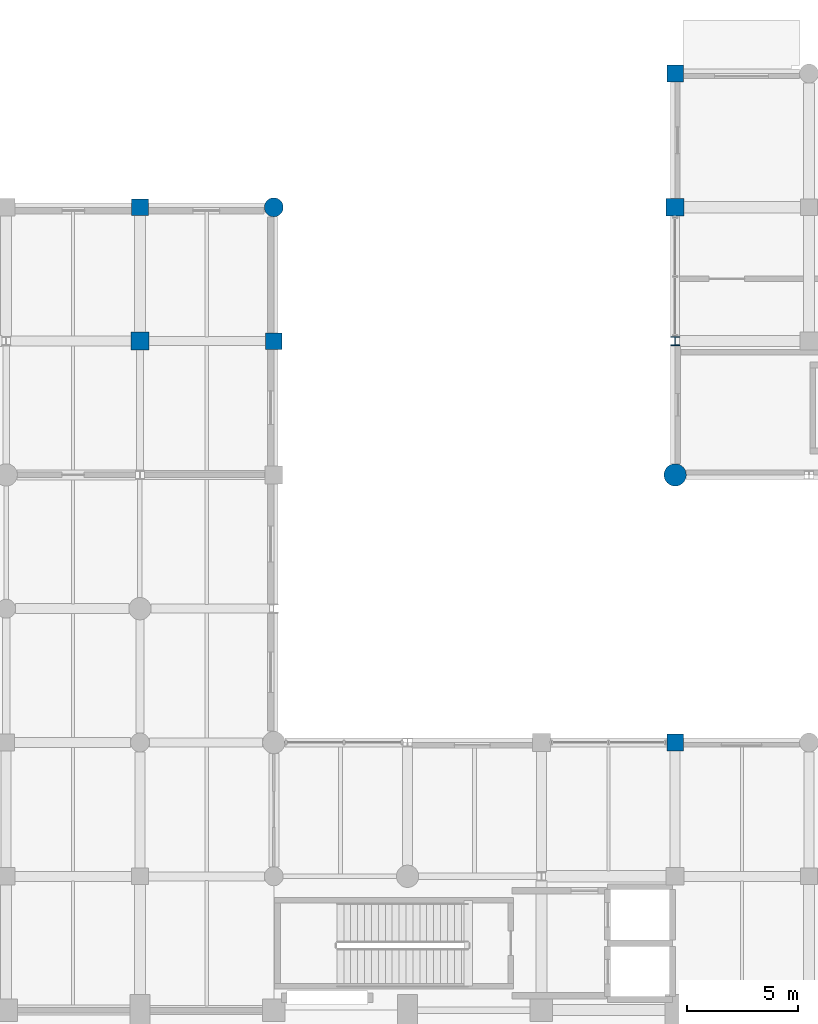
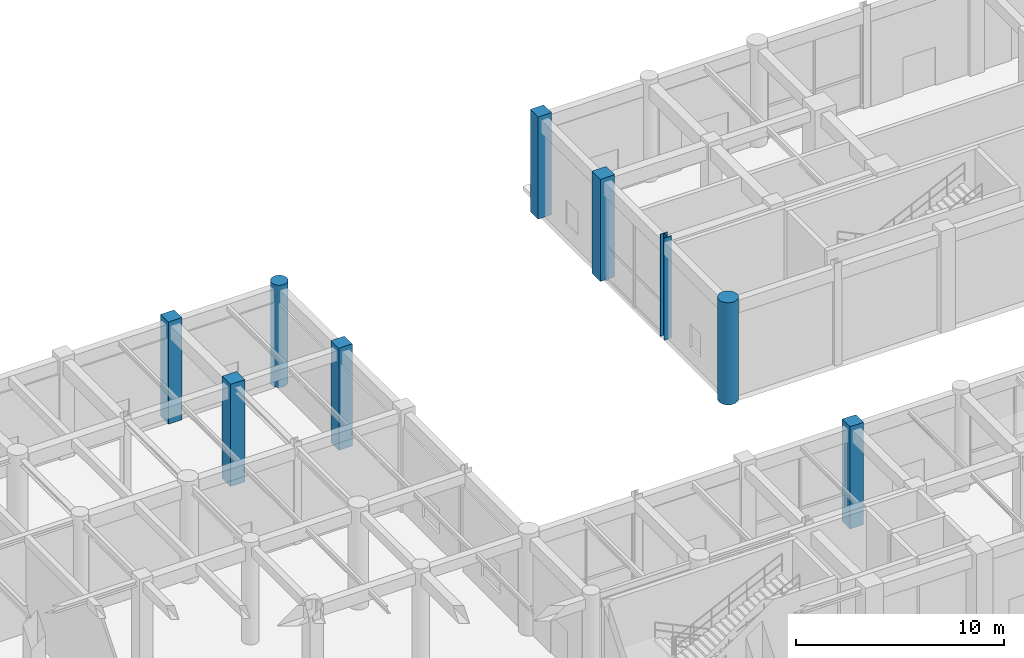
# One storey, part 11 of 106: 9 columns.
"""IFC4 building model written with IfcOpenShell, lengths in metres."""

from ifc_helpers import new_model, si_unit, direction, frame, origin, origin_2d, place, context, subcontext, project, spatial, rectangle, circle, i_section, extrude, material, material_profile, profile_set, type_object, element, save


model = new_model("IFC4")

# Units and contexts
model_context = context("Model", 3, precision=1e-05, world=origin(), true_north=direction((0.0, 1.0)))
body_context = subcontext(model_context, "Body", "Model", "MODEL_VIEW")
ifc_project = project(units=[si_unit("LENGTHUNIT", "METRE"), si_unit("AREAUNIT", "SQUARE_METRE"), si_unit("VOLUMEUNIT", "CUBIC_METRE"), si_unit("PLANEANGLEUNIT", "RADIAN"), si_unit("MASSUNIT", "GRAM", prefix="KILO"), si_unit("THERMODYNAMICTEMPERATUREUNIT", "KELVIN"), si_unit("POWERUNIT", "WATT")], contexts=[model_context])

# Site, building, storey
site_placement = place(None, origin())
site = spatial("IfcSite", under=ifc_project, at=site_placement, CompositionType="ELEMENT")
building_placement = place(site_placement, origin())
building = spatial("IfcBuilding", under=site, at=building_placement, Name="Phaisarnlok Congress Hotel", CompositionType="ELEMENT")
storey_placement = place(building_placement, origin())
storey = spatial("IfcBuildingStorey", under=building, at=storey_placement, Name="L00", CompositionType="ELEMENT", Elevation=0.0)

# Columns
ifc_material_1 = material(Name="Concrete C50/60", Category="concrete")
ifc_material_profile_1 = material_profile(ifc_material_1, rectangle(XDim=0.75, YDim=0.75, at=origin_2d()), Name="RC 750x750")
ifc_profile_set_1 = profile_set([ifc_material_profile_1], Name="Concrete C50/60")
column_type_1 = type_object("IfcColumnType", Name="COL-RC-750", PredefinedType="COLUMN", material=ifc_profile_set_1)
for number, where, z_axis, x_axis, name in (
    (1, (36.0, 120.0, 0.0), (0.0, 0.0, 1.0), (1.0, 0.0, 0.0), "Column C-06 (L00)"),
    (2, (42.0, 114.0, 0.0), (0.0, 0.0, 1.0), (1.0, 0.0, 0.0), "Column C-06 (L00)"),
    (3, (60.0, 96.0, 0.0), (0.0, 0.0, 1.0), (1.0, 0.0, 0.0), "Column C-06 (L00)"),
):
    element("IfcColumn", number, at=place(storey_placement, frame(where, z_axis=z_axis, x_axis=x_axis)), inside=storey, type_object=column_type_1, Name=name, PredefinedType="COLUMN", context=body_context, shape_type="SweptSolid", body=[
        extrude(rectangle(XDim=0.75, YDim=0.75, at=origin_2d()), origin(), (0.0, 0.0, 1.0), 6.0),
    ])
ifc_material_profile_2 = material_profile(ifc_material_1, rectangle(XDim=0.75, YDim=0.75, at=origin_2d()), Name="RC 750x750")
ifc_profile_set_2 = profile_set([ifc_material_profile_2], Name="Concrete C50/60")
column_type_2 = type_object("IfcColumnType", Name="COL-RC-750-EXT", PredefinedType="COLUMN", material=ifc_profile_set_2)
column_1_placement = place(storey_placement, frame((60.0, 126.0, 0.0), z_axis=(0.0, 0.0, 1.0), x_axis=(1.0, 0.0, 0.0)))
element("IfcColumn", 4, at=column_1_placement, inside=storey, type_object=column_type_2, Name="Column C-06E (L00)", PredefinedType="COLUMN", context=body_context, shape_type="SweptSolid", body=[
    extrude(rectangle(XDim=0.75, YDim=0.75, at=origin_2d()), origin(), (0.0, 0.0, 1.0), 6.0),
])
ifc_material_profile_3 = material_profile(ifc_material_1, rectangle(XDim=0.800048828125, YDim=0.800048828125, at=origin_2d()), Name="RC 800x800")
ifc_profile_set_3 = profile_set([ifc_material_profile_3], Name="Concrete C50/60")
column_type_3 = type_object("IfcColumnType", Name="COL-RC-800", PredefinedType="COLUMN", material=ifc_profile_set_3)
for number, where, z_axis, x_axis, name in (
    (5, (36.0, 114.0, 0.0), (0.0, 0.0, 1.0), (1.0, 0.0, 0.0), "Column C-07 (L00)"),
    (6, (60.0, 120.0, 0.0), (0.0, 0.0, 1.0), (1.0, 0.0, 0.0), "Column C-07 (L00)"),
):
    element("IfcColumn", number, at=place(storey_placement, frame(where, z_axis=z_axis, x_axis=x_axis)), inside=storey, type_object=column_type_3, Name=name, PredefinedType="COLUMN", context=body_context, shape_type="SweptSolid", body=[
        extrude(rectangle(XDim=0.800048828125, YDim=0.800048828125, at=origin_2d()), origin(), (0.0, 0.0, 1.0), 6.0),
    ])
ifc_material_profile_4 = material_profile(ifc_material_1, circle(Radius=0.5, at=origin_2d()), Name="RCC D1000")
ifc_profile_set_4 = profile_set([ifc_material_profile_4], Name="Concrete C50/60")
column_type_4 = type_object("IfcColumnType", Name="COL-RCC-1000", PredefinedType="COLUMN", material=ifc_profile_set_4)
column_2_placement = place(storey_placement, frame((60.0, 108.0, 0.0), z_axis=(0.0, 0.0, 1.0), x_axis=(1.0, 0.0, 0.0)))
element("IfcColumn", 7, at=column_2_placement, inside=storey, type_object=column_type_4, Name="Column C-15 (L00)", PredefinedType="COLUMN", context=body_context, shape_type="SweptSolid", body=[
    extrude(circle(Radius=0.5, at=origin_2d()), origin(), (0.0, 0.0, 1.0), 6.0),
])
ifc_material_profile_5 = material_profile(ifc_material_1, circle(Radius=0.425048828125, at=origin_2d()), Name="RCC D850")
ifc_profile_set_5 = profile_set([ifc_material_profile_5], Name="Concrete C50/60")
column_type_5 = type_object("IfcColumnType", Name="COL-RCC-850", PredefinedType="COLUMN", material=ifc_profile_set_5)
column_3_placement = place(storey_placement, frame((42.0, 120.0, 0.0), z_axis=(0.0, 0.0, 1.0), x_axis=(1.0, 0.0, 0.0)))
element("IfcColumn", 8, at=column_3_placement, inside=storey, type_object=column_type_5, Name="Column C-14 (L00)", PredefinedType="COLUMN", context=body_context, shape_type="SweptSolid", body=[
    extrude(circle(Radius=0.425048828125, at=origin_2d()), origin(), (0.0, 0.0, 1.0), 6.0),
])
ifc_material_2 = material(Name="Steel S355", Category="steel")
ifc_material_profile_6 = material_profile(ifc_material_2, i_section(OverallWidth=0.40087890625, OverallDepth=0.39892578125, WebThickness=0.0185546875, FlangeThickness=0.030029296875, FilletRadius=0.014892578125, at=origin_2d()), Name="HD 400x314")
ifc_profile_set_6 = profile_set([ifc_material_profile_6], Name="Steel S355")
column_type_6 = type_object("IfcColumnType", Name="COL-STL-HD314", PredefinedType="COLUMN", material=ifc_profile_set_6)
column_4_placement = place(storey_placement, frame((60.0, 114.0, 0.0), z_axis=(0.0, 0.0, 1.0), x_axis=(1.0, 0.0, 0.0)))
element("IfcColumn", 9, at=column_4_placement, inside=storey, type_object=column_type_6, Name="Column SC-04 (L00)", PredefinedType="COLUMN", context=body_context, shape_type="SweptSolid", body=[
    extrude(i_section(OverallWidth=0.40087890625, OverallDepth=0.39892578125, WebThickness=0.0185546875, FlangeThickness=0.030029296875, FilletRadius=0.014892578125, at=origin_2d()), origin(), (0.0, 0.0, 1.0), 6.0),
])

save(model, "model.ifc")
